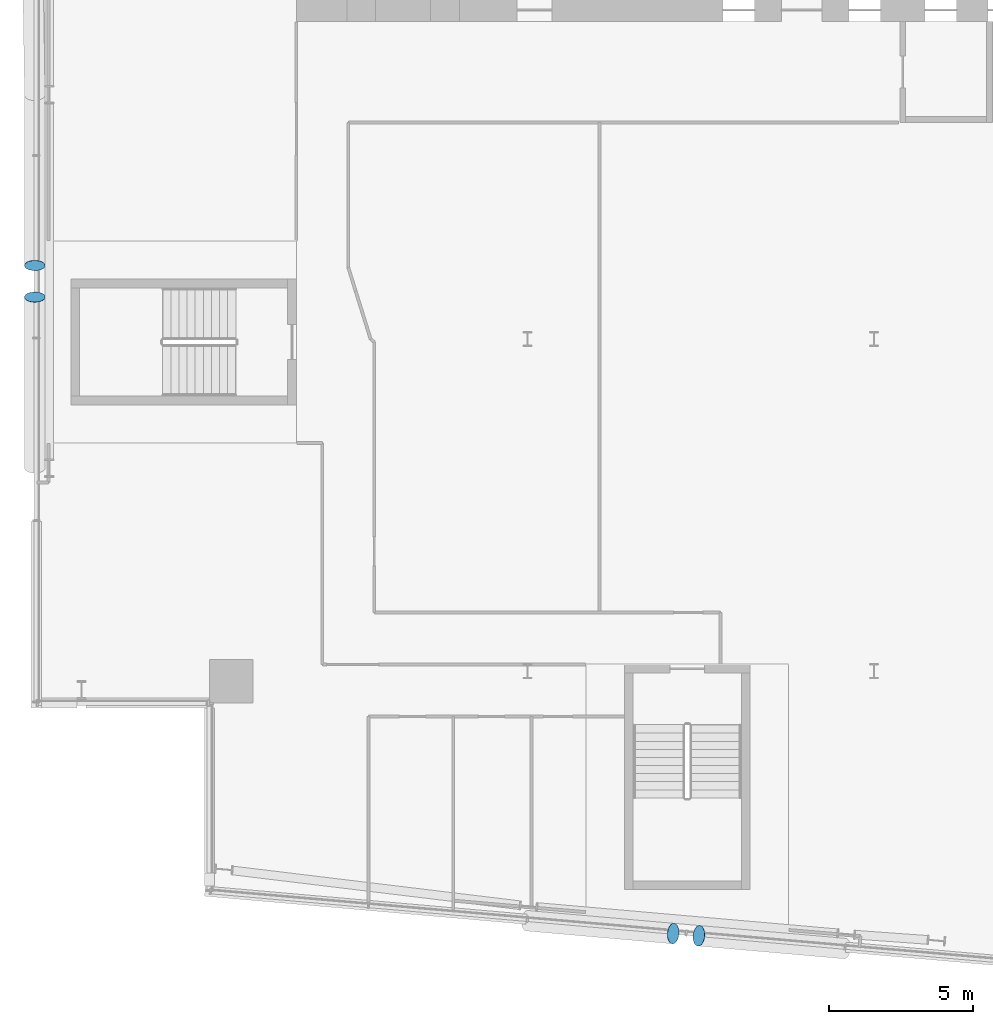
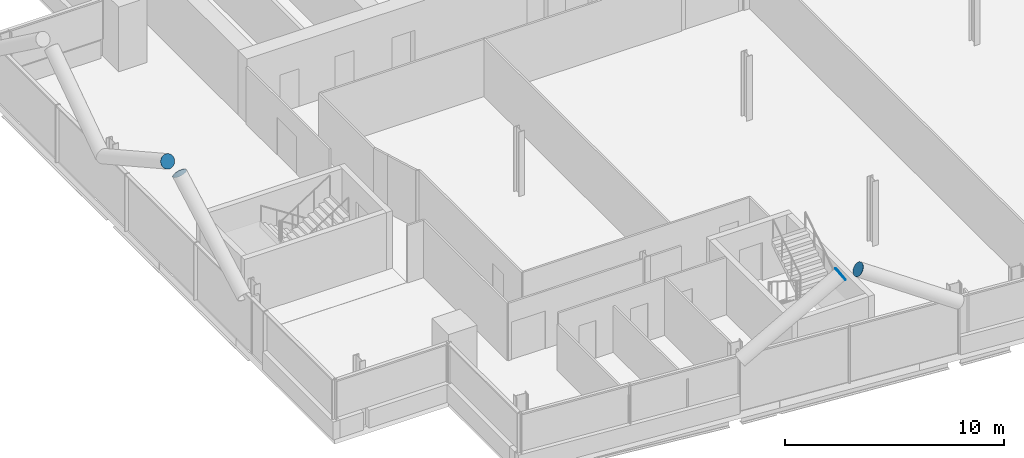
# One storey, part 21 of 26: 4 discrete accessories.
"""IFC4 building model written with IfcOpenShell, lengths in metres."""

import ifcopenshell
import ifcopenshell.guid

model = None  # the IFC model being written
_history = None  # IfcOwnerHistory: only IFC2X3 demands one
_inside = {}  # id of a spatial element -> (the spatial element, [elements in it])
_under = {}  # id of a project, library or spatial element -> (it, [spatial elements below it])
_declared = {}  # id of a project -> (the project, [libraries it declares])
_typed = {}  # id of a type object -> (the type object, [elements of that type])
_made_of = {}  # id of a material, layer set ... -> (it, [elements and type objects made of it])


def new_model(schema):
    """Start an empty IFC model of exactly this schema.

    Asked for "IFC4X3", IfcOpenShell would pick the latest addendum, in which some entities
    have other attributes; the version numbers below select the first issue.
    IFC2X3 requires an IfcOwnerHistory on every rooted entity: one is made here for all.
    """
    global model, _history
    if schema == "IFC4X3":
        model = ifcopenshell.file(schema_version=(4, 3, 0, 0))
    else:
        model = ifcopenshell.file(schema=schema)
    _inside.clear()
    _under.clear()
    _declared.clear()
    _typed.clear()
    _made_of.clear()
    _history = None
    if model.schema == "IFC2X3":
        org = make("IfcOrganization", Name="unknown")
        user = make(
            "IfcPersonAndOrganization",
            ThePerson=make("IfcPerson", FamilyName="unknown"),
            TheOrganization=org,
        )
        app = make(
            "IfcApplication",
            ApplicationDeveloper=org,
            Version="unknown",
            ApplicationFullName="unknown",
            ApplicationIdentifier="unknown",
        )
        _history = make(
            "IfcOwnerHistory",
            OwningUser=user,
            OwningApplication=app,
            ChangeAction="ADDED",
            CreationDate=0,
        )
    return model


def make(cls, **values):
    """One entity of the class cls with the attributes given. An attribute that is None is left unset."""
    return model.create_entity(
        cls, **{name: value for name, value in values.items() if value is not None}
    )


def rooted(cls, **values):
    """An entity with a GlobalId (a new one), such as an element, a storey or a relation."""
    return make(cls, GlobalId=ifcopenshell.guid.new(), OwnerHistory=_history, **values)


def si_unit(unit_type, name, prefix=None):
    """IfcSIUnit, for example si_unit("LENGTHUNIT", "METRE", prefix="MILLI")."""
    return make("IfcSIUnit", UnitType=unit_type, Prefix=prefix, Name=name)


def assignment(units):
    """IfcUnitAssignment: the units of a project."""
    return None if units is None else make("IfcUnitAssignment", Units=units)


def point(xyz):
    """IfcCartesianPoint."""
    return None if xyz is None else make("IfcCartesianPoint", Coordinates=xyz)


def direction(xyz):
    """IfcDirection."""
    return None if xyz is None else make("IfcDirection", DirectionRatios=xyz)


def frame(location, z_axis=None, x_axis=None):
    """IfcAxis2Placement3D, a coordinate frame: its origin and axes. An axis left out is left unset."""
    return make(
        "IfcAxis2Placement3D",
        Location=point(location),
        Axis=direction(z_axis),
        RefDirection=direction(x_axis),
    )


def frame_2d(location, x_axis=None):
    """IfcAxis2Placement2D, a coordinate frame in the plane: its origin and x axis."""
    return make(
        "IfcAxis2Placement2D", Location=point(location), RefDirection=direction(x_axis)
    )


def origin():
    """The frame at (0, 0, 0) with its axes left unset."""
    return frame((0.0, 0.0, 0.0))


def origin_2d():
    """The frame at (0, 0) in the plane with its x axis left unset."""
    return frame_2d((0.0, 0.0))


def place(relative_to, where):
    """IfcLocalPlacement: puts the frame where relative to a parent placement (None: the world)."""
    return make(
        "IfcLocalPlacement", PlacementRelTo=relative_to, RelativePlacement=where
    )


def context(
    kind, dimensions, precision=None, world=None, true_north=None, identifier=None
):
    """IfcGeometricRepresentationContext, for example the 3D "Model" context."""
    return make(
        "IfcGeometricRepresentationContext",
        ContextIdentifier=identifier,
        ContextType=kind,
        CoordinateSpaceDimension=dimensions,
        Precision=precision,
        WorldCoordinateSystem=world,
        TrueNorth=true_north,
    )


def subcontext(parent, identifier, kind, view, scale=None):
    """IfcGeometricRepresentationSubContext, for example "Body" below "Model"."""
    return make(
        "IfcGeometricRepresentationSubContext",
        ContextIdentifier=identifier,
        ContextType=kind,
        ParentContext=parent,
        TargetScale=scale,
        TargetView=view,
    )


def project(units=None, contexts=None):
    """IfcProject with its units and contexts."""
    return rooted(
        "IfcProject",
        Name="project",
        RepresentationContexts=contexts,
        UnitsInContext=assignment(units),
    )


def spatial(cls, under=None, at=None, **own):
    """A site, building, storey or space (cls), placed at a placement, below another one or the project."""
    s = rooted(cls, ObjectPlacement=at, **own)
    if under is not None:
        _under.setdefault(under.id(), (under, []))[1].append(s)
    return s


def profile(cls, at=None, kind="AREA", **sizes):
    """A parametric profile (cls). Its sizes go by their IFC names, for example OverallWidth=200.0."""
    return make(cls, ProfileType=kind, Position=at, **sizes)


def circle(**sizes):
    """IfcCircleProfileDef."""
    return profile("IfcCircleProfileDef", **sizes)


def extrude(swept, where, along, depth):
    """IfcExtrudedAreaSolid: the profile swept, set in the frame where, extruded along a direction by depth."""
    return make(
        "IfcExtrudedAreaSolid",
        SweptArea=swept,
        Position=where,
        ExtrudedDirection=direction(along),
        Depth=depth,
    )


def shape(context_of_items, identifier, shape_type, items):
    """IfcShapeRepresentation: the items that make up one representation, for example the "Body"."""
    return make(
        "IfcShapeRepresentation",
        ContextOfItems=context_of_items,
        RepresentationIdentifier=identifier,
        RepresentationType=shape_type,
        Items=items,
    )


def material(Name=None, Category=None):
    """IfcMaterial."""
    return make("IfcMaterial", Name=Name, Category=Category)


def material_profile(
    of_material, cross_section, Name=None, Category=None, Priority=None
):
    """IfcMaterialProfile: a cross section and its material."""
    return make(
        "IfcMaterialProfile",
        Name=Name,
        Material=of_material,
        Profile=cross_section,
        Priority=Priority,
        Category=Category,
    )


def profile_set(profiles, Name=None, composite=None):
    """IfcMaterialProfileSet."""
    return make(
        "IfcMaterialProfileSet",
        Name=Name,
        MaterialProfiles=profiles,
        CompositeProfile=composite,
    )


def made_of(thing, what):
    """Note that an element or type object is made of a material, layer set ...; save() writes the relation."""
    if what is not None:
        _made_of.setdefault(what.id(), (what, []))[1].append(thing)
    return thing


def type_object(cls, material=None, **own):
    """A type object (cls), such as IfcWallType, which elements share."""
    return made_of(rooted(cls, **own), material)


def element(
    cls,
    number,
    at=None,
    inside=None,
    cuts=None,
    type_object=None,
    material=None,
    context=None,
    identifier="Body",
    shape_type=None,
    held_by="IfcProductDefinitionShape",
    body=None,
    shapes=None,
    **own,
):
    """One element of the class cls, such as IfcWall. Its Tag is "e" and its number.

    at: its placement. inside: the storey or other place that contains it. cuts: it is an
    opening in that element (IfcRelVoidsElement). A single representation is given by context,
    identifier, shape_type and body (its items); several are given by shapes. held_by: the class
    of the entity that holds the representations. save() writes the other relations.
    """
    e = rooted(cls, Tag="e%d" % number, ObjectPlacement=at, **own)
    if body is not None:
        shapes = [shape(context, identifier, shape_type, body)]
    if shapes is not None:
        e.Representation = make(held_by, Representations=shapes)
    if inside is not None:
        _inside.setdefault(inside.id(), (inside, []))[1].append(e)
    if cuts is not None:
        rooted(
            "IfcRelVoidsElement", RelatingBuildingElement=cuts, RelatedOpeningElement=e
        )
    if type_object is not None:
        _typed.setdefault(type_object.id(), (type_object, []))[1].append(e)
    return made_of(e, material)


def aggregate(whole, parts):
    """IfcRelAggregates: a whole, such as a stair, and the parts it consists of."""
    return rooted("IfcRelAggregates", RelatingObject=whole, RelatedObjects=parts)


def save(model, path):
    """Write the relations noted so far, then the file.

    IfcRelAggregates (storeys below a building ...), IfcRelContainedInSpatialStructure (elements
    in a storey), IfcRelDefinesByType, IfcRelAssociatesMaterial and IfcRelDeclares: one each for
    every whole, place, type object, material and project.
    """
    for whole, parts in _under.values():
        aggregate(whole, parts)
    for where, things in _inside.values():
        rooted(
            "IfcRelContainedInSpatialStructure",
            RelatedElements=things,
            RelatingStructure=where,
        )
    for kind, things in _typed.values():
        rooted("IfcRelDefinesByType", RelatedObjects=things, RelatingType=kind)
    for what, things in _made_of.values():
        rooted("IfcRelAssociatesMaterial", RelatedObjects=things, RelatingMaterial=what)
    for by, libraries in _declared.values():
        rooted("IfcRelDeclares", RelatingContext=by, RelatedDefinitions=libraries)
    model.write(path)


model = new_model("IFC4")

# Units and contexts
model_context = context("Model", 3, precision=1e-05, world=origin(), true_north=direction((0.0, 1.0)))
body_context = subcontext(model_context, "Body", "Model", "MODEL_VIEW")
ifc_project = project(units=[si_unit("LENGTHUNIT", "METRE"), si_unit("AREAUNIT", "SQUARE_METRE"), si_unit("VOLUMEUNIT", "CUBIC_METRE"), si_unit("PLANEANGLEUNIT", "RADIAN"), si_unit("MASSUNIT", "GRAM", prefix="KILO")], contexts=[model_context])

# Site, building, storey
site_placement = place(None, origin())
site = spatial("IfcSite", under=ifc_project, at=site_placement, CompositionType="ELEMENT")
building_placement = place(site_placement, origin())
building = spatial("IfcBuilding", under=site, at=building_placement, Name="Wharfspan Tower", CompositionType="ELEMENT")
storey_placement = place(building_placement, frame((0.0, 0.0, 184.300049)))
storey = spatial("IfcBuildingStorey", under=building, at=storey_placement, Name="L45", CompositionType="ELEMENT", Elevation=184.300049)

# Discrete accessories
ifc_material = material(Name="Steel S460NH", Category="steel")
ifc_material_profile = material_profile(ifc_material, circle(Radius=0.355469, at=origin_2d()))
ifc_profile_set = profile_set([ifc_material_profile], Name="Steel S460NH")
discrete_accessory_type = type_object("IfcDiscreteAccessoryType", Name="End plate CHS 711x36", PredefinedType="BRACKET", material=ifc_profile_set)
discrete_accessory_placement = place(storey_placement, frame((29.043213, 2.41626, 6.204102), z_axis=(0.83357, -0.071449, 0.547774), x_axis=(0.085401, 0.996343, 0.0)))
element("IfcDiscreteAccessory", 1, at=discrete_accessory_placement, inside=storey, type_object=discrete_accessory_type, Name="End plate CHS 711x36", PredefinedType="BRACKET", context=body_context, shape_type="SweptSolid", body=[
    extrude(circle(Radius=0.355469, at=origin_2d()), origin(), (0.0, 0.0, 1.0), 0.010254),
])
for number, where, z_axis, x_axis, name in (
    (2, (29.947021, 2.337158, 6.204102), (-0.82608, 0.072889, 0.558819), (-0.087894, -0.99613, -1e-06), "End plate CHS 711x36"),
    (3, (6.945068, 25.554443, 6.191406), (0.0, -0.874157, 0.485643), (1.0, 0.0, 0.0), "End plate CHS 711x36"),
    (4, (6.945068, 24.445557, 6.191406), (0.0, 0.874157, 0.485643), (-1.0, 0.0, 0.0), "End plate CHS 711x36"),
):
    element("IfcDiscreteAccessory", number, at=place(storey_placement, frame(where, z_axis=z_axis, x_axis=x_axis)), inside=storey, type_object=discrete_accessory_type, Name=name, PredefinedType="BRACKET", context=body_context, shape_type="SweptSolid", body=[
        extrude(circle(Radius=0.355469, at=origin_2d()), origin(), (0.0, 0.0, 1.0), 0.01001),
    ])

save(model, "model.ifc")
